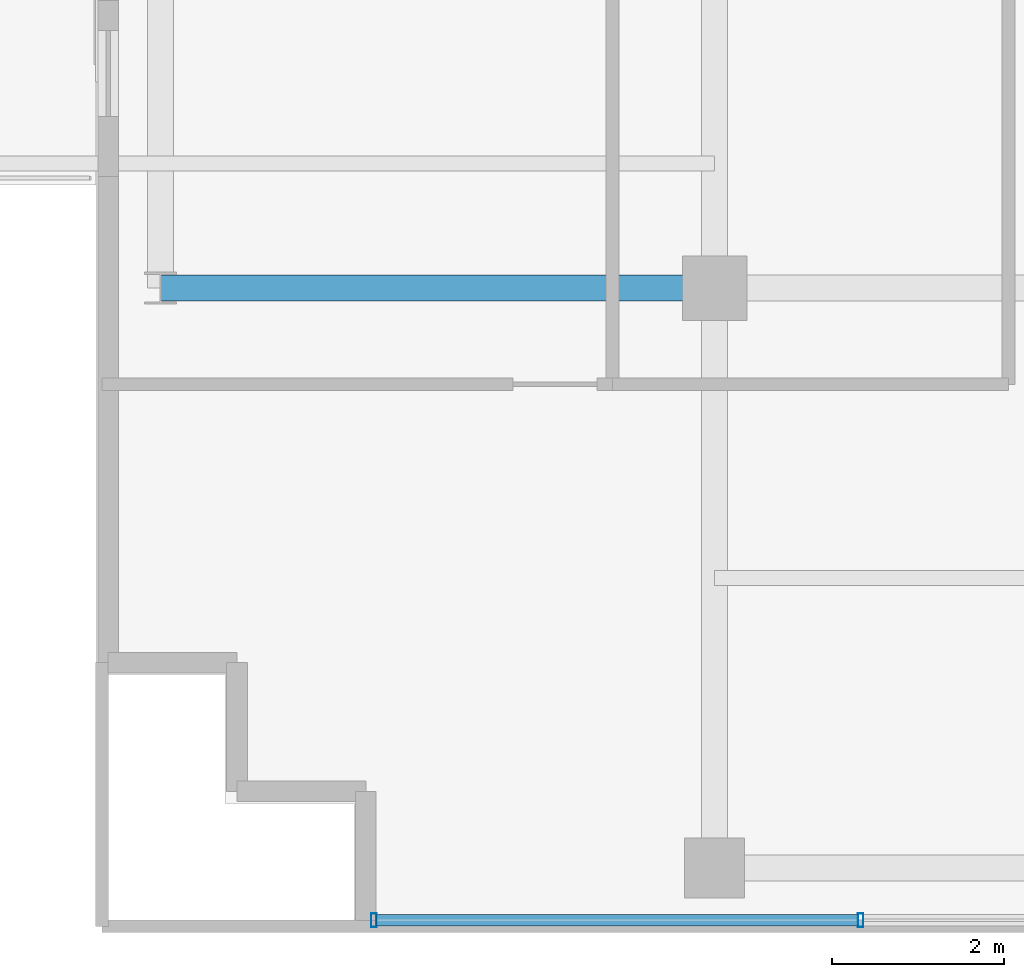
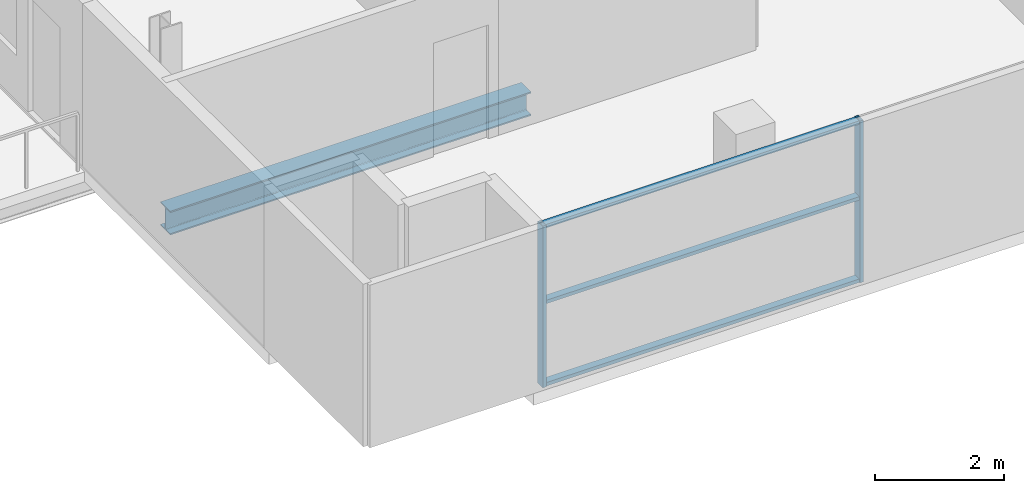
# One storey, part 2 of 28: 5 members, 1 beam, 1 element without a shape of its own.
"""IFC4 building model written with IfcOpenShell, lengths in metres."""

from ifc_helpers import new_model, si_unit, direction, frame, origin, origin_2d, place, context, subcontext, project, spatial, hollow_rectangle, i_section, extrude, source, transform, mapped, material, layer, layer_set, material_profile, profile_set, type_object, element, aggregate, save


model = new_model("IFC4")

# Units and contexts
model_context = context("Model", 3, precision=1e-05, world=origin(), true_north=direction((0.0, 1.0)))
body_context = subcontext(model_context, "Body", "Model", "MODEL_VIEW")
ifc_project = project(units=[si_unit("LENGTHUNIT", "METRE"), si_unit("AREAUNIT", "SQUARE_METRE"), si_unit("VOLUMEUNIT", "CUBIC_METRE"), si_unit("PLANEANGLEUNIT", "RADIAN"), si_unit("MASSUNIT", "GRAM", prefix="KILO")], contexts=[model_context])

# Site, building, storey
site_placement = place(None, origin())
site = spatial("IfcSite", under=ifc_project, at=site_placement, CompositionType="ELEMENT")
building_placement = place(site_placement, origin())
building = spatial("IfcBuilding", under=site, at=building_placement, Name="Zarnakvel Exchange Tower", CompositionType="ELEMENT")
storey_placement = place(building_placement, frame((0.0, 0.0, 261.699951171875)))
storey = spatial("IfcBuildingStorey", under=building, at=storey_placement, Name="L74", CompositionType="ELEMENT", Elevation=261.699951171875)

# Beam
ifc_material_1 = material(Name="Steel S355", Category="steel")
ifc_material_profile_1 = material_profile(ifc_material_1, i_section(OverallWidth=0.300048828125, OverallDepth=0.449951171875, WebThickness=0.013916015625, FlangeThickness=0.02587890625, FilletRadius=0.027099609375, at=origin_2d()))
ifc_profile_set_1 = profile_set([ifc_material_profile_1], Name="Steel S355")
beam_type = type_object("IfcBeamType", Name="G-07", PredefinedType="BEAM", material=ifc_profile_set_1)
beam_placement = place(storey_placement, frame((-20.85009765625, -9.60009765625, -0.449951171875), z_axis=(1.0, 0.0, 0.0), x_axis=(0.0, 1.0, 0.0)))
element("IfcBeam", 1, at=beam_placement, inside=storey, type_object=beam_type, Name="L74 Tower E-W Frame Beam", PredefinedType="BEAM", context=body_context, shape_type="SweptSolid", body=[
    extrude(i_section(OverallWidth=0.300048828125, OverallDepth=0.449951171875, WebThickness=0.013916015625, FlangeThickness=0.02587890625, FilletRadius=0.027099609375, at=origin_2d()), origin(), (0.0, 0.0, 1.0), 6.4501953125),
])

# Curtain wall, members
ifc_material_2 = material(Name="Architectural Bronze Anodised Aluminium", Category="aluminium")
ifc_layer = layer(ifc_material_2, 0.159912109375)
ifc_layer_set = layer_set([ifc_layer], Name="Architectural Bronze Anodised Aluminium")
curtain_wall_type = type_object("IfcCurtainWallType", Name="CW-06", PredefinedType="NOTDEFINED", material=ifc_layer_set)
curtain_wall_placement = place(storey_placement, origin())
curtain_wall = element("IfcCurtainWall", 2, at=curtain_wall_placement, inside=storey, type_object=curtain_wall_type, Name="L74 Curtain Wall CW-L74-NSW (CW-06)", PredefinedType="NOTDEFINED")
ifc_material_profile_2 = material_profile(ifc_material_2, hollow_rectangle(XDim=0.1298828125, YDim=0.06494140625, WallThickness=0.00390625, at=origin_2d()))
ifc_profile_set_2 = profile_set([ifc_material_profile_2], Name="Architectural Bronze Anodised Aluminium")
member_type_1 = type_object("IfcMemberType", Name="CWT-06", PredefinedType="USERDEFINED", material=ifc_profile_set_2)
shared_shape_1 = source(origin(), body_context, "Body", "SweptSolid", [
    extrude(hollow_rectangle(XDim=0.1298828125, YDim=0.06494140625, WallThickness=0.00390625, at=origin_2d()), origin(), (0.0, 0.0, 1.0), 5.6025390625),
])
member_1_placement = place(storey_placement, frame((-18.3349609375, -16.9599609375, 0.032470703125), z_axis=(1.0, 0.0, 0.0), x_axis=(0.0, 1.0, 0.0)))
member_1 = element("IfcMember", 3, at=member_1_placement, type_object=member_type_1, Name="CW-06 transom 1.1", ObjectType="TRANSOM", PredefinedType="USERDEFINED", context=body_context, shape_type="MappedRepresentation", body=[
    mapped(shared_shape_1, transform((0.0, 0.0, 0.0), x_axis=(1.0, 0.0, 0.0), y_axis=(0.0, 1.0, 0.0), z_axis=(0.0, 0.0, 1.0), scale=1.0)),
])
member_2_placement = place(storey_placement, frame((-18.3349609375, -16.9599609375, 1.588623046875), z_axis=(1.0, 0.0, 0.0), x_axis=(0.0, 1.0, 0.0)))
member_2 = element("IfcMember", 4, at=member_2_placement, type_object=member_type_1, Name="CW-06 transom 1.2", ObjectType="TRANSOM", PredefinedType="USERDEFINED", context=body_context, shape_type="MappedRepresentation", body=[
    mapped(shared_shape_1, transform((0.0, 0.0, 0.0), x_axis=(1.0, 0.0, 0.0), y_axis=(0.0, 1.0, 0.0), z_axis=(0.0, 0.0, 1.0), scale=1.0)),
])
member_3_placement = place(storey_placement, frame((-18.3349609375, -16.9599609375, 3.0224609375), z_axis=(1.0, 0.0, 0.0), x_axis=(0.0, 1.0, 0.0)))
member_3 = element("IfcMember", 5, at=member_3_placement, type_object=member_type_1, Name="CW-06 transom 1.3", ObjectType="TRANSOM", PredefinedType="USERDEFINED", context=body_context, shape_type="MappedRepresentation", body=[
    mapped(shared_shape_1, transform((0.0, 0.0, 0.0), x_axis=(1.0, 0.0, 0.0), y_axis=(0.0, 1.0, 0.0), z_axis=(0.0, 0.0, 1.0), scale=1.0)),
])
ifc_material_profile_3 = material_profile(ifc_material_2, hollow_rectangle(XDim=0.159912109375, YDim=0.06494140625, WallThickness=0.00390625, at=origin_2d()))
ifc_profile_set_3 = profile_set([ifc_material_profile_3], Name="Architectural Bronze Anodised Aluminium")
member_type_2 = type_object("IfcMemberType", Name="CWM-06", PredefinedType="MULLION", material=ifc_profile_set_3)
shared_shape_2 = source(origin(), body_context, "Body", "SweptSolid", [
    extrude(hollow_rectangle(XDim=0.159912109375, YDim=0.06494140625, WallThickness=0.00390625, at=origin_2d()), origin(), (0.0, 0.0, 1.0), 3.054931640625),
])
member_4_placement = place(storey_placement, frame((-18.367431640625, -16.9599609375, 0.0), z_axis=(0.0, 0.0, 1.0), x_axis=(0.0, 1.0, 0.0)))
member_4 = element("IfcMember", 6, at=member_4_placement, type_object=member_type_2, Name="CW-06 mullion 1", PredefinedType="MULLION", context=body_context, shape_type="MappedRepresentation", body=[
    mapped(shared_shape_2, transform((0.0, 0.0, 0.0), x_axis=(1.0, 0.0, 0.0), y_axis=(0.0, 1.0, 0.0), z_axis=(0.0, 0.0, 1.0), scale=1.0)),
])
member_5_placement = place(storey_placement, frame((-12.699951171875, -16.9599609375, 0.0), z_axis=(0.0, 0.0, 1.0), x_axis=(0.0, 1.0, 0.0)))
member_5 = element("IfcMember", 7, at=member_5_placement, type_object=member_type_2, Name="CW-06 mullion 2", PredefinedType="MULLION", context=body_context, shape_type="MappedRepresentation", body=[
    mapped(shared_shape_2, transform((0.0, 0.0, 0.0), x_axis=(1.0, 0.0, 0.0), y_axis=(0.0, 1.0, 0.0), z_axis=(0.0, 0.0, 1.0), scale=1.0)),
])
aggregate(curtain_wall, [member_4, member_5, member_1, member_2, member_3])

save(model, "model.ifc")
